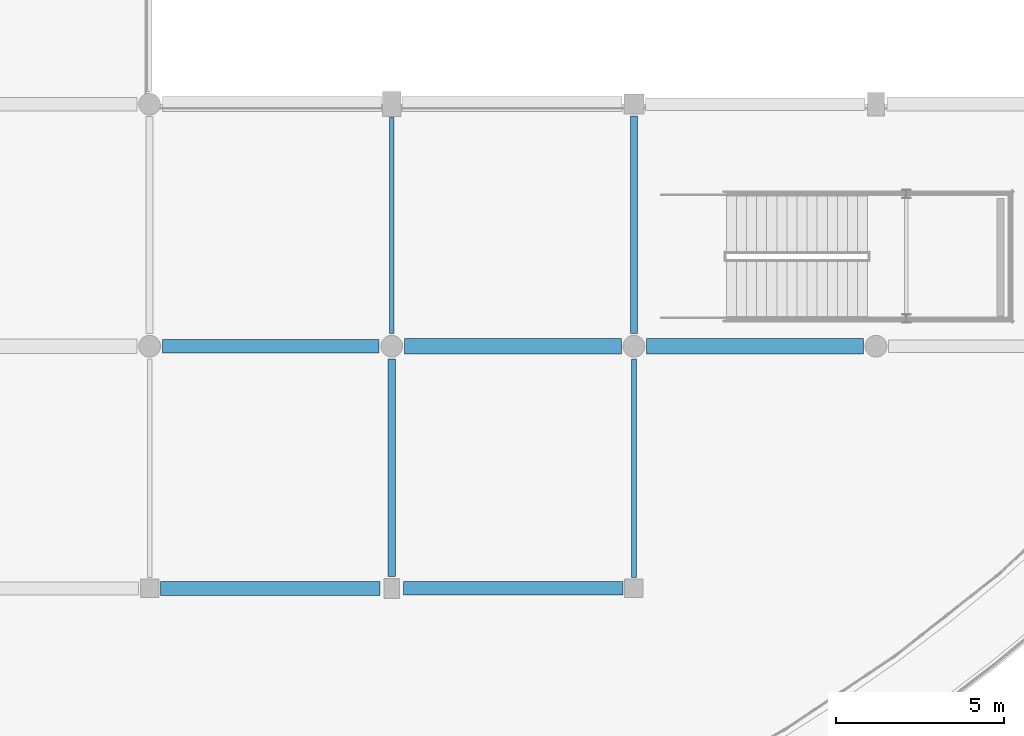
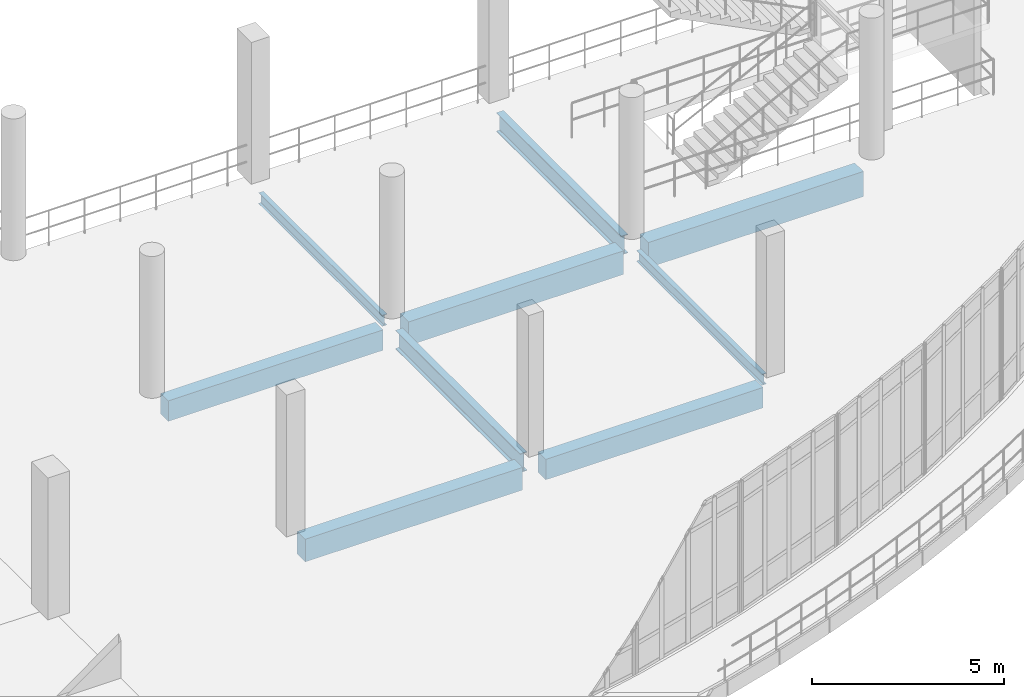
# One storey, part 30 of 134: 9 beams.
"""IFC4 building model written with IfcOpenShell, lengths in metres."""

from ifc_helpers import new_model, si_unit, direction, frame, origin, origin_2d, place, context, subcontext, project, spatial, rectangle, i_section, extrude, material, material_profile, profile_set, type_object, element, save


model = new_model("IFC4")

# Units and contexts
model_context = context("Model", 3, precision=1e-05, world=origin(), true_north=direction((0.0, 1.0)))
body_context = subcontext(model_context, "Body", "Model", "MODEL_VIEW")
ifc_project = project(units=[si_unit("LENGTHUNIT", "METRE"), si_unit("AREAUNIT", "SQUARE_METRE"), si_unit("VOLUMEUNIT", "CUBIC_METRE"), si_unit("PLANEANGLEUNIT", "RADIAN"), si_unit("MASSUNIT", "GRAM", prefix="KILO")], contexts=[model_context])

# Site, building, storey
site_placement = place(None, origin())
site = spatial("IfcSite", under=ifc_project, at=site_placement, CompositionType="ELEMENT")
building_placement = place(site_placement, origin())
building = spatial("IfcBuilding", under=site, at=building_placement, Name="Kalluvel Institute of Natural Sciences", CompositionType="ELEMENT")
storey_placement = place(building_placement, frame((0.0, 0.0, 5.39990234375)))
storey = spatial("IfcBuildingStorey", under=building, at=storey_placement, Name="L01", CompositionType="ELEMENT", Elevation=5.39990234375)

# Beams
ifc_material_1 = material(Name="Steel E350 Grade 350", Category="steel")
ifc_material_profile_1 = material_profile(ifc_material_1, i_section(OverallWidth=0.139892578125, OverallDepth=0.35009765625, WebThickness=0.008056640625, FlangeThickness=0.01416015625, FilletRadius=0.013916015625, at=origin_2d()), Name="ISMB 350")
ifc_profile_set_1 = profile_set([ifc_material_profile_1], Name="Steel E350 Grade 350")
beam_type_1 = type_object("IfcBeamType", Name="BM-ISMB350", PredefinedType="BEAM", material=ifc_profile_set_1)
beam_1_placement = place(storey_placement, frame((50.0, 71.97509765625, -0.494873046875), z_axis=(0.0, 1.0, 0.0), x_axis=(-1.0, 0.0, 0.0)))
element("IfcBeam", 1, at=beam_1_placement, inside=storey, type_object=beam_type_1, Name="L01 girder GIR-L01-NS-X500-Y716", PredefinedType="BEAM", context=body_context, shape_type="SweptSolid", body=[
    extrude(i_section(OverallWidth=0.139892578125, OverallDepth=0.35009765625, WebThickness=0.008056640625, FlangeThickness=0.01416015625, FilletRadius=0.013916015625, at=origin_2d()), origin(), (0.0, 0.0, 1.0), 6.4248046875),
])
beam_2_placement = place(storey_placement, frame((57.199951171875, 64.72509765625, -0.494873046875), z_axis=(0.0, 1.0, 0.0), x_axis=(-1.0, 0.0, 0.0)))
element("IfcBeam", 2, at=beam_2_placement, inside=storey, type_object=beam_type_1, Name="L01 girder GIR-L01-NS-X572-Y644", PredefinedType="BEAM", context=body_context, shape_type="SweptSolid", body=[
    extrude(i_section(OverallWidth=0.139892578125, OverallDepth=0.35009765625, WebThickness=0.008056640625, FlangeThickness=0.01416015625, FilletRadius=0.013916015625, at=origin_2d()), origin(), (0.0, 0.0, 1.0), 6.5),
])
ifc_material_profile_2 = material_profile(ifc_material_1, i_section(OverallWidth=0.2099609375, OverallDepth=0.60009765625, WebThickness=0.011962890625, FlangeThickness=0.020751953125, FilletRadius=0.02001953125, at=origin_2d()), Name="ISMB 600")
ifc_profile_set_2 = profile_set([ifc_material_profile_2], Name="Steel E350 Grade 350")
beam_type_2 = type_object("IfcBeamType", Name="BM-ISMB600", PredefinedType="BEAM", material=ifc_profile_set_2)
beam_3_placement = place(storey_placement, frame((50.0, 64.75, -0.619873046875), z_axis=(0.0, 1.0, 0.0), x_axis=(-1.0, 0.0, 0.0)))
element("IfcBeam", 3, at=beam_3_placement, inside=storey, type_object=beam_type_2, Name="L01 girder GIR-L01-NS-X500-Y644", PredefinedType="BEAM", context=body_context, shape_type="SweptSolid", body=[
    extrude(i_section(OverallWidth=0.2099609375, OverallDepth=0.60009765625, WebThickness=0.011962890625, FlangeThickness=0.020751953125, FilletRadius=0.02001953125, at=origin_2d()), origin(), (0.0, 0.0, 1.0), 6.47509765625),
])
beam_4_placement = place(storey_placement, frame((57.199951171875, 71.97509765625, -0.619873046875), z_axis=(0.0, 1.0, 0.0), x_axis=(-1.0, 0.0, 0.0)))
element("IfcBeam", 4, at=beam_4_placement, inside=storey, type_object=beam_type_2, Name="L01 girder GIR-L01-NS-X572-Y716", PredefinedType="BEAM", context=body_context, shape_type="SweptSolid", body=[
    extrude(i_section(OverallWidth=0.2099609375, OverallDepth=0.60009765625, WebThickness=0.011962890625, FlangeThickness=0.020751953125, FilletRadius=0.02001953125, at=origin_2d()), origin(), (0.0, 0.0, 1.0), 6.474853515625),
])
ifc_material_2 = material(Name="Concrete M40", Category="concrete")
ifc_material_profile_3 = material_profile(ifc_material_2, rectangle(XDim=0.39990234375, YDim=0.64990234375, at=origin_2d()), Name="RCB 400x650")
ifc_profile_set_3 = profile_set([ifc_material_profile_3], Name="Concrete M40")
beam_type_3 = type_object("IfcBeamType", Name="BM-RC400x650", PredefinedType="BEAM", material=ifc_profile_set_3)
beam_5_placement = place(storey_placement, frame((50.35009765625, 64.39990234375, -0.64501953125), z_axis=(1.0, 0.0, 0.0), x_axis=(0.0, 1.0, 0.0)))
element("IfcBeam", 5, at=beam_5_placement, inside=storey, type_object=beam_type_3, Name="L01 girder GIR-L01-EW-X500-Y644", PredefinedType="BEAM", context=body_context, shape_type="SweptSolid", body=[
    extrude(rectangle(XDim=0.39990234375, YDim=0.64990234375, at=origin_2d()), origin(), (0.0, 0.0, 1.0), 6.52490234375),
])
beam_6_placement = place(storey_placement, frame((43.175048828125, 71.60009765625, -0.64501953125), z_axis=(1.0, 0.0, 0.0), x_axis=(0.0, 1.0, 0.0)))
element("IfcBeam", 6, at=beam_6_placement, inside=storey, type_object=beam_type_3, Name="L01 girder GIR-L01-EW-X428-Y716", PredefinedType="BEAM", context=body_context, shape_type="SweptSolid", body=[
    extrude(rectangle(XDim=0.39990234375, YDim=0.64990234375, at=origin_2d()), origin(), (0.0, 0.0, 1.0), 6.449951171875),
])
ifc_material_profile_4 = material_profile(ifc_material_2, rectangle(XDim=0.419921875, YDim=0.719970703125, at=origin_2d()), Name="RCB 420x720")
ifc_profile_set_4 = profile_set([ifc_material_profile_4], Name="Concrete M40")
beam_type_4 = type_object("IfcBeamType", Name="BM-RC420x720", PredefinedType="BEAM", material=ifc_profile_set_4)
beam_7_placement = place(storey_placement, frame((43.125, 64.39990234375, -0.679931640625), z_axis=(1.0, 0.0, 0.0), x_axis=(0.0, 1.0, 0.0)))
element("IfcBeam", 7, at=beam_7_placement, inside=storey, type_object=beam_type_4, Name="L01 girder GIR-L01-EW-X428-Y644", PredefinedType="BEAM", context=body_context, shape_type="SweptSolid", body=[
    extrude(rectangle(XDim=0.419921875, YDim=0.719970703125, at=origin_2d()), origin(), (0.0, 0.0, 1.0), 6.52490234375),
])
ifc_material_profile_5 = material_profile(ifc_material_2, rectangle(XDim=0.449951171875, YDim=0.75, at=origin_2d()), Name="RCB 450x750")
ifc_profile_set_5 = profile_set([ifc_material_profile_5], Name="Concrete M40")
beam_type_5 = type_object("IfcBeamType", Name="BM-RC450x750", PredefinedType="BEAM", material=ifc_profile_set_5)
beam_8_placement = place(storey_placement, frame((50.375, 71.60009765625, -0.69482421875), z_axis=(1.0, 0.0, 0.0), x_axis=(0.0, 1.0, 0.0)))
element("IfcBeam", 8, at=beam_8_placement, inside=storey, type_object=beam_type_5, Name="L01 girder GIR-L01-EW-X500-Y716", PredefinedType="BEAM", context=body_context, shape_type="SweptSolid", body=[
    extrude(rectangle(XDim=0.449951171875, YDim=0.75, at=origin_2d()), origin(), (0.0, 0.0, 1.0), 6.449951171875),
])
ifc_material_profile_6 = material_profile(ifc_material_2, rectangle(XDim=0.449951171875, YDim=0.800048828125, at=origin_2d()), Name="RCB 450x800")
ifc_profile_set_6 = profile_set([ifc_material_profile_6], Name="Concrete M40")
beam_type_6 = type_object("IfcBeamType", Name="BM-RC450x800", PredefinedType="BEAM", material=ifc_profile_set_6)
beam_9_placement = place(storey_placement, frame((57.574951171875, 71.60009765625, -0.719970703125), z_axis=(1.0, 0.0, 0.0), x_axis=(0.0, 1.0, 0.0)))
element("IfcBeam", 9, at=beam_9_placement, inside=storey, type_object=beam_type_6, Name="L01 girder GIR-L01-EW-X572-Y716", PredefinedType="BEAM", context=body_context, shape_type="SweptSolid", body=[
    extrude(rectangle(XDim=0.449951171875, YDim=0.800048828125, at=origin_2d()), origin(), (0.0, 0.0, 1.0), 6.449951171875),
])

save(model, "model.ifc")
